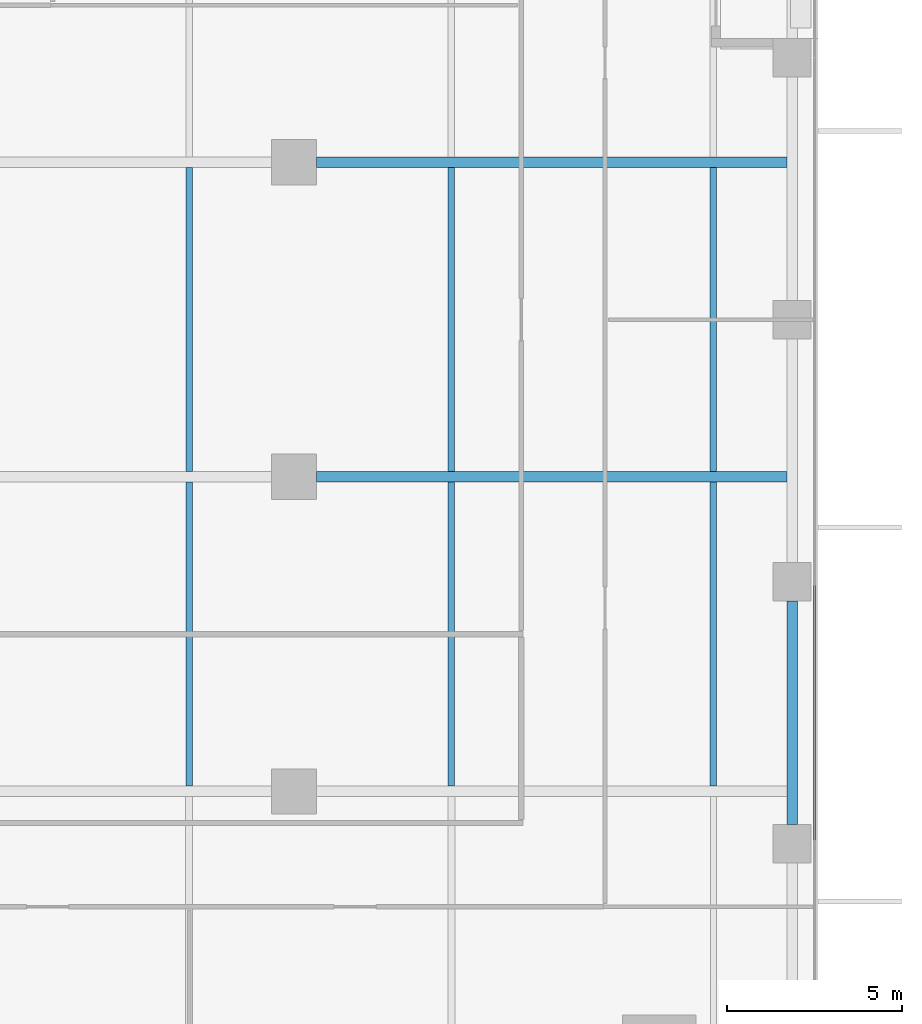
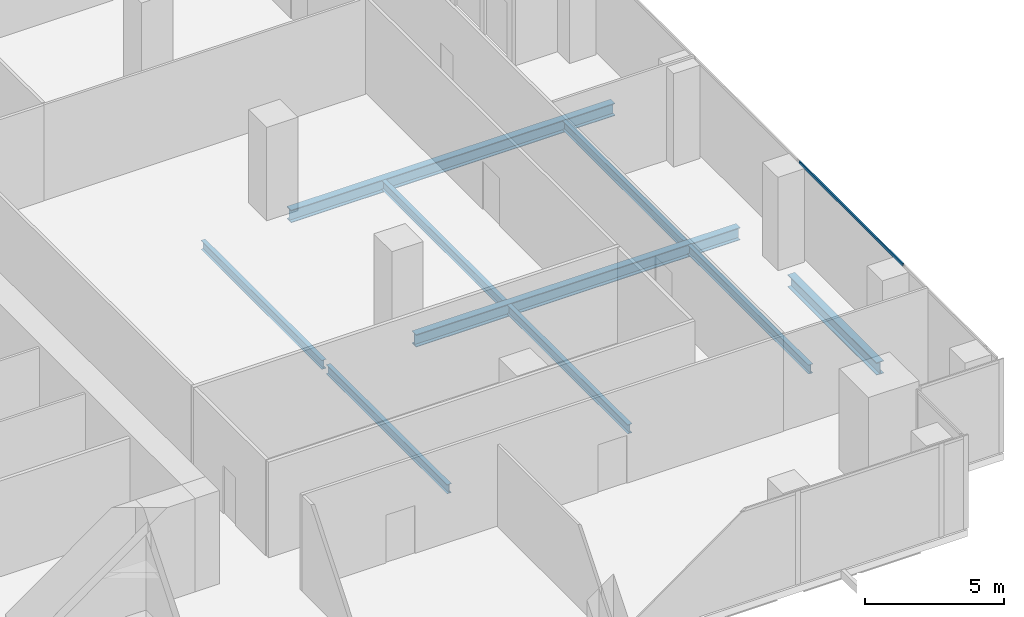
# One storey, part 12 of 35: 9 beams, 1 member, 1 element without a shape of its own.
"""IFC4 building model written with IfcOpenShell, lengths in metres."""

from ifc_helpers import new_model, si_unit, direction, frame, origin, origin_2d, place, context, subcontext, project, spatial, hollow_rectangle, i_section, extrude, source, transform, mapped, material, material_profile, profile_set, type_object, element, aggregate, save


model = new_model("IFC4")

# Units and contexts
model_context = context("Model", 3, precision=1e-05, world=origin(), true_north=direction((0.0, 1.0)))
body_context = subcontext(model_context, "Body", "Model", "MODEL_VIEW")
ifc_project = project(units=[si_unit("LENGTHUNIT", "METRE"), si_unit("AREAUNIT", "SQUARE_METRE"), si_unit("VOLUMEUNIT", "CUBIC_METRE"), si_unit("PLANEANGLEUNIT", "RADIAN"), si_unit("MASSUNIT", "GRAM", prefix="KILO")], contexts=[model_context])

# Site, building, storey
site_placement = place(None, origin())
site = spatial("IfcSite", under=ifc_project, at=site_placement, CompositionType="ELEMENT")
building_placement = place(site_placement, origin())
building = spatial("IfcBuilding", under=site, at=building_placement, Name="Khomas Fold Tower", CompositionType="ELEMENT")
storey_placement = place(building_placement, frame((0.0, 0.0, 132.300048828125)))
storey = spatial("IfcBuildingStorey", under=building, at=storey_placement, Name="L28", CompositionType="ELEMENT", Elevation=132.300048828125)

# Beams
ifc_material_1 = material(Name="Steel S355", Category="steel")
ifc_material_profile_1 = material_profile(ifc_material_1, i_section(OverallWidth=0.179931640625, OverallDepth=0.39990234375, WebThickness=0.008544921875, FlangeThickness=0.013427734375, at=origin_2d()), Name="IPE 400")
ifc_profile_set_1 = profile_set([ifc_material_profile_1], Name="Steel S355")
beam_type_1 = type_object("IfcBeamType", Name="IPE 400 beam JB3", PredefinedType="BEAM", material=ifc_profile_set_1)
shared_shape_1 = source(origin(), body_context, "Body", "SweptSolid", [
    extrude(i_section(OverallWidth=0.179931640625, OverallDepth=0.39990234375, WebThickness=0.008544921875, FlangeThickness=0.013427734375, at=origin_2d()), origin(), (0.0, 0.0, 1.0), 8.7001953125),
])
for number, where, z_axis, x_axis, name in (
    (1, (34.5, 13.64990234375, -0.5), (0.0, 1.0, 0.0), (-1.0, 0.0, 0.0), "JB3"),
    (2, (34.5, 22.64990234375, -0.5), (0.0, 1.0, 0.0), (-1.0, 0.0, 0.0), "JB3"),
    (3, (42.0, 13.64990234375, -0.5), (0.0, 1.0, 0.0), (-1.0, 0.0, 0.0), "JB3"),
    (4, (42.0, 22.64990234375, -0.5), (0.0, 1.0, 0.0), (-1.0, 0.0, 0.0), "JB3"),
    (5, (49.5, 13.64990234375, -0.5), (0.0, 1.0, 0.0), (-1.0, 0.0, 0.0), "JB3"),
    (6, (49.5, 22.64990234375, -0.5), (0.0, 1.0, 0.0), (-1.0, 0.0, 0.0), "JB3"),
):
    element("IfcBeam", number, at=place(storey_placement, frame(where, z_axis=z_axis, x_axis=x_axis)), inside=storey, type_object=beam_type_1, Name=name, PredefinedType="BEAM", context=body_context, shape_type="MappedRepresentation", body=[
        mapped(shared_shape_1, transform((0.0, 0.0, 0.0))),
    ])
ifc_material_2 = material(Name="Steel S355", Category="steel")
ifc_material_profile_2 = material_profile(ifc_material_2, i_section(OverallWidth=0.300048828125, OverallDepth=0.550048828125, WebThickness=0.014892578125, FlangeThickness=0.029052734375, at=origin_2d()), Name="HE 550 B")
ifc_profile_set_2 = profile_set([ifc_material_profile_2], Name="Steel S355")
beam_type_2 = type_object("IfcBeamType", Name="HE 550 B spandrel SB2", PredefinedType="SPANDREL", material=ifc_profile_set_2)
shared_shape_2 = source(origin(), body_context, "Body", "SweptSolid", [
    extrude(i_section(OverallWidth=0.300048828125, OverallDepth=0.550048828125, WebThickness=0.014892578125, FlangeThickness=0.029052734375, at=origin_2d()), origin(), (0.0, 0.0, 1.0), 6.39990234375),
])
beam_placement = place(storey_placement, frame((51.75, 12.550048828125, -0.574951171875), z_axis=(0.0, 1.0, 0.0), x_axis=(-1.0, 0.0, 0.0)))
element("IfcBeam", 7, at=beam_placement, inside=storey, type_object=beam_type_2, Name="SB2", PredefinedType="SPANDREL", context=body_context, shape_type="MappedRepresentation", body=[
    mapped(shared_shape_2, transform((0.0, 0.0, 0.0))),
])
ifc_material_3 = material(Name="Steel S355", Category="steel")
ifc_material_profile_3 = material_profile(ifc_material_3, i_section(OverallWidth=0.300048828125, OverallDepth=0.550048828125, WebThickness=0.014892578125, FlangeThickness=0.029052734375, at=origin_2d()), Name="HE 550 B")
ifc_profile_set_3 = profile_set([ifc_material_profile_3], Name="Steel S355")
beam_type_3 = type_object("IfcBeamType", Name="HE 550 B beam GB4", PredefinedType="BEAM", material=ifc_profile_set_3)
shared_shape_3 = source(origin(), body_context, "Body", "SweptSolid", [
    extrude(i_section(OverallWidth=0.300048828125, OverallDepth=0.550048828125, WebThickness=0.014892578125, FlangeThickness=0.029052734375, at=origin_2d()), origin(), (0.0, 0.0, 1.0), 13.4501953125),
])
for number, where, z_axis, x_axis, name in (
    (8, (38.14990234375, 22.5, -0.574951171875), (1.0, 0.0, 0.0), (0.0, 1.0, 0.0), "GB4"),
    (9, (38.14990234375, 31.5, -0.574951171875), (1.0, 0.0, 0.0), (0.0, 1.0, 0.0), "GB4"),
):
    element("IfcBeam", number, at=place(storey_placement, frame(where, z_axis=z_axis, x_axis=x_axis)), inside=storey, type_object=beam_type_3, Name=name, PredefinedType="BEAM", context=body_context, shape_type="MappedRepresentation", body=[
        mapped(shared_shape_3, transform((0.0, 0.0, 0.0))),
    ])

# Curtain wall, member
ifc_material_4 = material(Name="Aluminium framed double glazing", Category="aluminium")
curtain_wall_type = type_object("IfcCurtainWallType", Name="SK-Unitised clear-glass wall, growing floors CW1", PredefinedType="NOTDEFINED", material=ifc_material_4)
curtain_wall_placement = place(storey_placement, origin())
curtain_wall = element("IfcCurtainWall", 10, at=curtain_wall_placement, inside=storey, type_object=curtain_wall_type, Name="CW1 run L28 03-0", PredefinedType="NOTDEFINED")
ifc_material_5 = material(Name="Aluminium", Category="aluminium")
ifc_material_profile_4 = material_profile(ifc_material_5, hollow_rectangle(XDim=0.06005859375, YDim=0.1201171875, WallThickness=0.00390625, at=origin_2d()), Name="SK-Unitised clear-glass wall, growing floors transom CW1-T")
ifc_profile_set_4 = profile_set([ifc_material_profile_4], Name="Aluminium")
member_type = type_object("IfcMemberType", Name="SK-Unitised clear-glass wall, growing floors transom CW1-T", PredefinedType="USERDEFINED", material=ifc_profile_set_4)
shared_shape_4 = source(origin(), body_context, "Body", "SweptSolid", [
    extrude(hollow_rectangle(XDim=0.06005859375, YDim=0.1201171875, WallThickness=0.00390625, at=origin_2d()), origin(), (0.0, 0.0, 1.0), 7.43994140625),
])
member_placement = place(storey_placement, frame((52.39990234375, 12.030029296875, 4.0400390625), z_axis=(0.0, 1.0, 0.0), x_axis=(-1.0, 0.0, 0.0)))
member = element("IfcMember", 11, at=member_placement, type_object=member_type, Name="CW1 transom 3", ObjectType="TRANSOM", PredefinedType="USERDEFINED", context=body_context, shape_type="MappedRepresentation", body=[
    mapped(shared_shape_4, transform((0.0, 0.0, 0.0))),
])
aggregate(curtain_wall, [member])

save(model, "model.ifc")
